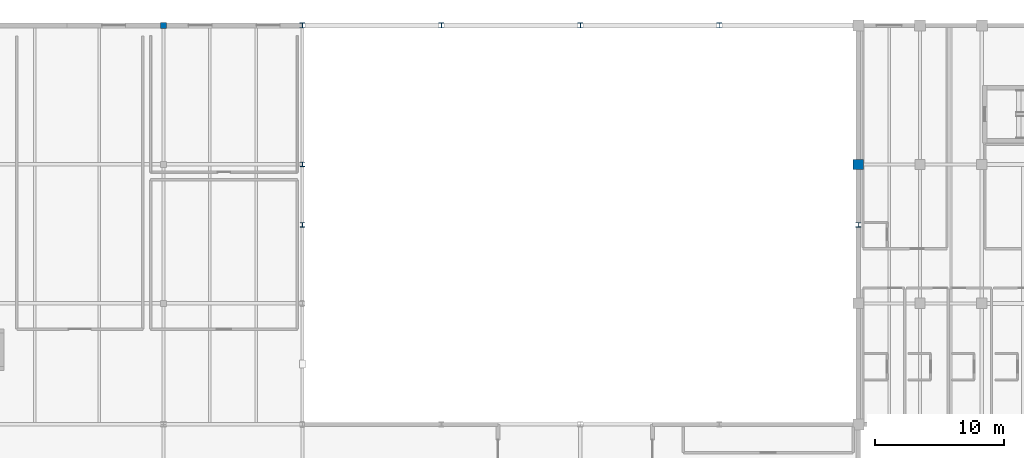
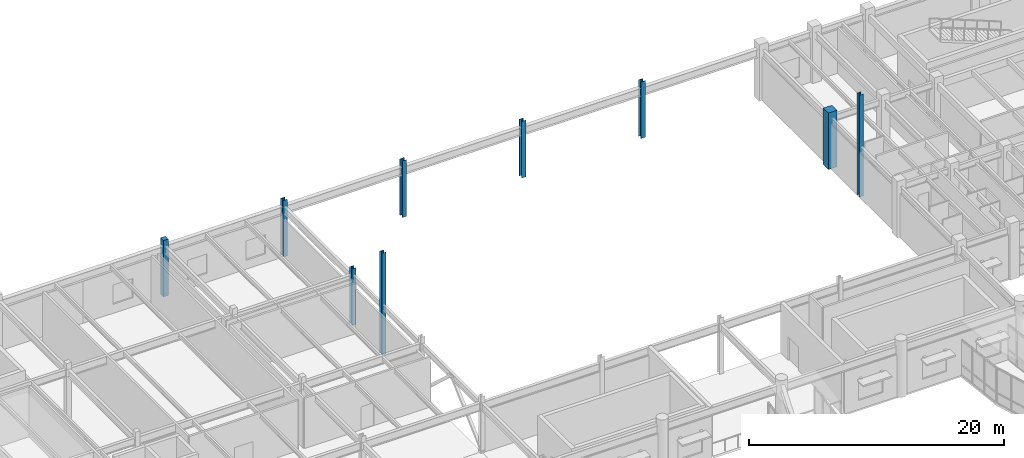
# One storey, part 8 of 68: 9 columns.
"""IFC4 building model written with IfcOpenShell, lengths in metres."""

from ifc_helpers import new_model, si_unit, direction, frame, origin, origin_2d, place, context, subcontext, project, spatial, rectangle, i_section, extrude, material, material_profile, profile_set, type_object, element, save


model = new_model("IFC4")

# Units and contexts
model_context = context("Model", 3, precision=1e-05, world=origin(), true_north=direction((0.0, 1.0)))
body_context = subcontext(model_context, "Body", "Model", "MODEL_VIEW")
ifc_project = project(units=[si_unit("LENGTHUNIT", "METRE"), si_unit("AREAUNIT", "SQUARE_METRE"), si_unit("VOLUMEUNIT", "CUBIC_METRE"), si_unit("PLANEANGLEUNIT", "RADIAN"), si_unit("MASSUNIT", "GRAM", prefix="KILO")], contexts=[model_context])

# Site, building, storey
site_placement = place(None, origin())
site = spatial("IfcSite", under=ifc_project, at=site_placement, CompositionType="ELEMENT")
building_placement = place(site_placement, origin())
building = spatial("IfcBuilding", under=site, at=building_placement, Name="Veldera Park Congress Hotel", CompositionType="ELEMENT")
storey_placement = place(building_placement, frame((0.0, 0.0, 10.800048828125)))
storey = spatial("IfcBuildingStorey", under=building, at=storey_placement, Name="L02", CompositionType="ELEMENT", Elevation=10.800048828125)

# Columns
ifc_material_1 = material(Name="Glulam GL28h (NDS 24F-V4)", Category="wood")
ifc_material_profile_1 = material_profile(ifc_material_1, rectangle(XDim=0.449951171875, YDim=0.449951171875, at=origin_2d()), Name="GL28h 450x450")
ifc_profile_set_1 = profile_set([ifc_material_profile_1], Name="Glulam GL28h (NDS 24F-V4)")
column_type_1 = type_object("IfcColumnType", Name="COL-GL42E", PredefinedType="COLUMN", material=ifc_profile_set_1)
column_1_placement = place(storey_placement, frame((-12.39990234375, 58.0, 0.0), z_axis=(0.0, 0.0, 1.0), x_axis=(1.0, 0.0, 0.0)))
element("IfcColumn", 1, at=column_1_placement, inside=storey, type_object=column_type_1, Name="L02 Column COL-GL42E (-12.4,58.0)", PredefinedType="COLUMN", context=body_context, shape_type="SweptSolid", body=[
    extrude(rectangle(XDim=0.449951171875, YDim=0.449951171875, at=origin_2d()), origin(), (0.0, 0.0, 1.0), 5.39990234375),
])
ifc_material_2 = material(Name="Concrete f'c 50 MPa (7,250 psi)", Category="concrete")
ifc_material_profile_2 = material_profile(ifc_material_2, rectangle(XDim=0.800048828125, YDim=0.800048828125, at=origin_2d()), Name="RC 800x800")
ifc_profile_set_2 = profile_set([ifc_material_profile_2], Name="Concrete f'c 50 MPa (7,250 psi)")
column_type_2 = type_object("IfcColumnType", Name="COL-RC80", PredefinedType="COLUMN", material=ifc_profile_set_2)
column_2_placement = place(storey_placement, frame((41.60009765625, 47.199951171875, 0.0), z_axis=(0.0, 0.0, 1.0), x_axis=(1.0, 0.0, 0.0)))
element("IfcColumn", 2, at=column_2_placement, inside=storey, type_object=column_type_2, Name="L02 Column COL-RC80 (41.6,47.2)", PredefinedType="COLUMN", context=body_context, shape_type="SweptSolid", body=[
    extrude(rectangle(XDim=0.800048828125, YDim=0.800048828125, at=origin_2d()), origin(), (0.0, 0.0, 1.0), 5.39990234375),
])
ifc_material_3 = material(Name="Steel ASTM A992 Gr.50", Category="steel")
ifc_material_profile_3 = material_profile(ifc_material_3, i_section(OverallWidth=0.3740234375, OverallDepth=0.3720703125, WebThickness=0.016357421875, FlangeThickness=0.026123046875, at=origin_2d()), Name="W14X132")
ifc_profile_set_3 = profile_set([ifc_material_profile_3], Name="Steel ASTM A992 Gr.50")
column_type_3 = type_object("IfcColumnType", Name="COL-STL132", PredefinedType="COLUMN", material=ifc_profile_set_3)
for number, where, z_axis, x_axis, name in (
    (3, (-1.60009765625, 42.5, 0.0), (0.0, 0.0, 1.0), (1.0, 0.0, 0.0), "L02 Column COL-STL132 (-1.6,42.5)"),
    (4, (41.60009765625, 42.5, 0.0), (0.0, 0.0, 1.0), (1.0, 0.0, 0.0), "L02 Column COL-STL132 (41.6,42.5)"),
):
    element("IfcColumn", number, at=place(storey_placement, frame(where, z_axis=z_axis, x_axis=x_axis)), inside=storey, type_object=column_type_3, Name=name, PredefinedType="COLUMN", context=body_context, shape_type="SweptSolid", body=[
        extrude(i_section(OverallWidth=0.3740234375, OverallDepth=0.3720703125, WebThickness=0.016357421875, FlangeThickness=0.026123046875, at=origin_2d()), origin(), (0.0, 0.0, 1.0), 9.75),
    ])
column_3_placement = place(storey_placement, frame((-1.60009765625, 47.199951171875, 0.0), z_axis=(0.0, 0.0, 1.0), x_axis=(1.0, 0.0, 0.0)))
element("IfcColumn", 5, at=column_3_placement, inside=storey, type_object=column_type_3, Name="L02 Column COL-STL132 (-1.6,47.2)", PredefinedType="COLUMN", context=body_context, shape_type="SweptSolid", body=[
    extrude(i_section(OverallWidth=0.3740234375, OverallDepth=0.3720703125, WebThickness=0.016357421875, FlangeThickness=0.026123046875, at=origin_2d()), origin(), (0.0, 0.0, 1.0), 5.39990234375),
])
ifc_material_profile_4 = material_profile(ifc_material_3, i_section(OverallWidth=0.39892578125, OverallDepth=0.39306640625, WebThickness=0.022705078125, FlangeThickness=0.03662109375, at=origin_2d()), Name="W14X193")
ifc_profile_set_4 = profile_set([ifc_material_profile_4], Name="Steel ASTM A992 Gr.50")
column_type_4 = type_object("IfcColumnType", Name="COL-STL176E", PredefinedType="COLUMN", material=ifc_profile_set_4)
for number, where, z_axis, x_axis, name in (
    (6, (-1.60009765625, 58.0, 0.0), (0.0, 0.0, 1.0), (1.0, 0.0, 0.0), "L02 Column COL-STL176E (-1.6,58.0)"),
    (7, (9.199951171875, 58.0, 0.0), (0.0, 0.0, 1.0), (1.0, 0.0, 0.0), "L02 Column COL-STL176E (9.2,58.0)"),
    (8, (20.0, 58.0, 0.0), (0.0, 0.0, 1.0), (1.0, 0.0, 0.0), "L02 Column COL-STL176E (20.0,58.0)"),
    (9, (30.800048828125, 58.0, 0.0), (0.0, 0.0, 1.0), (1.0, 0.0, 0.0), "L02 Column COL-STL176E (30.8,58.0)"),
):
    element("IfcColumn", number, at=place(storey_placement, frame(where, z_axis=z_axis, x_axis=x_axis)), inside=storey, type_object=column_type_4, Name=name, PredefinedType="COLUMN", context=body_context, shape_type="SweptSolid", body=[
        extrude(i_section(OverallWidth=0.39892578125, OverallDepth=0.39306640625, WebThickness=0.022705078125, FlangeThickness=0.03662109375, at=origin_2d()), origin(), (0.0, 0.0, 1.0), 5.39990234375),
    ])

save(model, "model.ifc")
